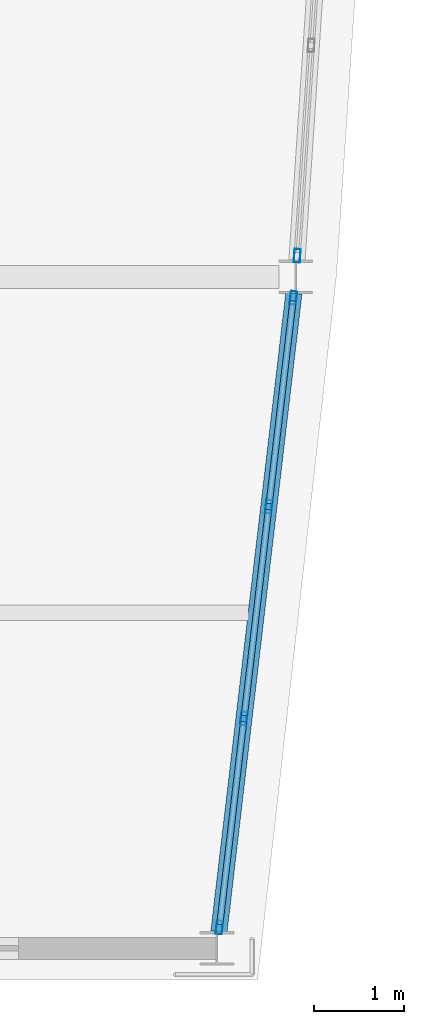
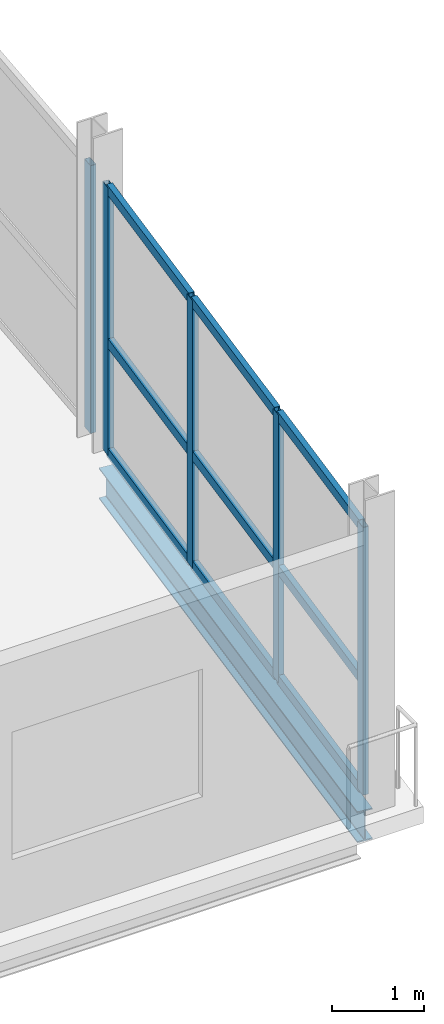
# One storey, part 2 of 20: 14 members, 1 beam, 2 elements without a shape of their own.
"""IFC4 building model written with IfcOpenShell, lengths in metres."""

import ifcopenshell
import ifcopenshell.guid

model = None  # the IFC model being written
_history = None  # IfcOwnerHistory: only IFC2X3 demands one
_inside = {}  # id of a spatial element -> (the spatial element, [elements in it])
_under = {}  # id of a project, library or spatial element -> (it, [spatial elements below it])
_declared = {}  # id of a project -> (the project, [libraries it declares])
_typed = {}  # id of a type object -> (the type object, [elements of that type])
_made_of = {}  # id of a material, layer set ... -> (it, [elements and type objects made of it])


def new_model(schema):
    """Start an empty IFC model of exactly this schema.

    Asked for "IFC4X3", IfcOpenShell would pick the latest addendum, in which some entities
    have other attributes; the version numbers below select the first issue.
    IFC2X3 requires an IfcOwnerHistory on every rooted entity: one is made here for all.
    """
    global model, _history
    if schema == "IFC4X3":
        model = ifcopenshell.file(schema_version=(4, 3, 0, 0))
    else:
        model = ifcopenshell.file(schema=schema)
    _inside.clear()
    _under.clear()
    _declared.clear()
    _typed.clear()
    _made_of.clear()
    _history = None
    if model.schema == "IFC2X3":
        org = make("IfcOrganization", Name="unknown")
        user = make(
            "IfcPersonAndOrganization",
            ThePerson=make("IfcPerson", FamilyName="unknown"),
            TheOrganization=org,
        )
        app = make(
            "IfcApplication",
            ApplicationDeveloper=org,
            Version="unknown",
            ApplicationFullName="unknown",
            ApplicationIdentifier="unknown",
        )
        _history = make(
            "IfcOwnerHistory",
            OwningUser=user,
            OwningApplication=app,
            ChangeAction="ADDED",
            CreationDate=0,
        )
    return model


def make(cls, **values):
    """One entity of the class cls with the attributes given. An attribute that is None is left unset."""
    return model.create_entity(
        cls, **{name: value for name, value in values.items() if value is not None}
    )


def rooted(cls, **values):
    """An entity with a GlobalId (a new one), such as an element, a storey or a relation."""
    return make(cls, GlobalId=ifcopenshell.guid.new(), OwnerHistory=_history, **values)


def si_unit(unit_type, name, prefix=None):
    """IfcSIUnit, for example si_unit("LENGTHUNIT", "METRE", prefix="MILLI")."""
    return make("IfcSIUnit", UnitType=unit_type, Prefix=prefix, Name=name)


def assignment(units):
    """IfcUnitAssignment: the units of a project."""
    return None if units is None else make("IfcUnitAssignment", Units=units)


def point(xyz):
    """IfcCartesianPoint."""
    return None if xyz is None else make("IfcCartesianPoint", Coordinates=xyz)


def direction(xyz):
    """IfcDirection."""
    return None if xyz is None else make("IfcDirection", DirectionRatios=xyz)


def frame(location, z_axis=None, x_axis=None):
    """IfcAxis2Placement3D, a coordinate frame: its origin and axes. An axis left out is left unset."""
    return make(
        "IfcAxis2Placement3D",
        Location=point(location),
        Axis=direction(z_axis),
        RefDirection=direction(x_axis),
    )


def frame_2d(location, x_axis=None):
    """IfcAxis2Placement2D, a coordinate frame in the plane: its origin and x axis."""
    return make(
        "IfcAxis2Placement2D", Location=point(location), RefDirection=direction(x_axis)
    )


def origin():
    """The frame at (0, 0, 0) with its axes left unset."""
    return frame((0.0, 0.0, 0.0))


def origin_2d():
    """The frame at (0, 0) in the plane with its x axis left unset."""
    return frame_2d((0.0, 0.0))


def place(relative_to, where):
    """IfcLocalPlacement: puts the frame where relative to a parent placement (None: the world)."""
    return make(
        "IfcLocalPlacement", PlacementRelTo=relative_to, RelativePlacement=where
    )


def context(
    kind, dimensions, precision=None, world=None, true_north=None, identifier=None
):
    """IfcGeometricRepresentationContext, for example the 3D "Model" context."""
    return make(
        "IfcGeometricRepresentationContext",
        ContextIdentifier=identifier,
        ContextType=kind,
        CoordinateSpaceDimension=dimensions,
        Precision=precision,
        WorldCoordinateSystem=world,
        TrueNorth=true_north,
    )


def subcontext(parent, identifier, kind, view, scale=None):
    """IfcGeometricRepresentationSubContext, for example "Body" below "Model"."""
    return make(
        "IfcGeometricRepresentationSubContext",
        ContextIdentifier=identifier,
        ContextType=kind,
        ParentContext=parent,
        TargetScale=scale,
        TargetView=view,
    )


def project(units=None, contexts=None):
    """IfcProject with its units and contexts."""
    return rooted(
        "IfcProject",
        Name="project",
        RepresentationContexts=contexts,
        UnitsInContext=assignment(units),
    )


def spatial(cls, under=None, at=None, **own):
    """A site, building, storey or space (cls), placed at a placement, below another one or the project."""
    s = rooted(cls, ObjectPlacement=at, **own)
    if under is not None:
        _under.setdefault(under.id(), (under, []))[1].append(s)
    return s


def profile(cls, at=None, kind="AREA", **sizes):
    """A parametric profile (cls). Its sizes go by their IFC names, for example OverallWidth=200.0."""
    return make(cls, ProfileType=kind, Position=at, **sizes)


def hollow_rectangle(**sizes):
    """IfcRectangleHollowProfileDef."""
    return profile("IfcRectangleHollowProfileDef", **sizes)


def i_section(**sizes):
    """IfcIShapeProfileDef."""
    return profile("IfcIShapeProfileDef", **sizes)


def extrude(swept, where, along, depth):
    """IfcExtrudedAreaSolid: the profile swept, set in the frame where, extruded along a direction by depth."""
    return make(
        "IfcExtrudedAreaSolid",
        SweptArea=swept,
        Position=where,
        ExtrudedDirection=direction(along),
        Depth=depth,
    )


def shape(context_of_items, identifier, shape_type, items):
    """IfcShapeRepresentation: the items that make up one representation, for example the "Body"."""
    return make(
        "IfcShapeRepresentation",
        ContextOfItems=context_of_items,
        RepresentationIdentifier=identifier,
        RepresentationType=shape_type,
        Items=items,
    )


def material(Name=None, Category=None):
    """IfcMaterial."""
    return make("IfcMaterial", Name=Name, Category=Category)


def layer(
    of_material, thickness, ventilated=None, Name=None, Category=None, Priority=None
):
    """IfcMaterialLayer: one layer of a wall or slab, of a material (None: an air gap)."""
    return make(
        "IfcMaterialLayer",
        Material=of_material,
        LayerThickness=thickness,
        IsVentilated=ventilated,
        Name=Name,
        Category=Category,
        Priority=Priority,
    )


def layer_set(layers, Name=None):
    """IfcMaterialLayerSet."""
    return make("IfcMaterialLayerSet", MaterialLayers=layers, LayerSetName=Name)


def material_profile(
    of_material, cross_section, Name=None, Category=None, Priority=None
):
    """IfcMaterialProfile: a cross section and its material."""
    return make(
        "IfcMaterialProfile",
        Name=Name,
        Material=of_material,
        Profile=cross_section,
        Priority=Priority,
        Category=Category,
    )


def profile_set(profiles, Name=None, composite=None):
    """IfcMaterialProfileSet."""
    return make(
        "IfcMaterialProfileSet",
        Name=Name,
        MaterialProfiles=profiles,
        CompositeProfile=composite,
    )


def made_of(thing, what):
    """Note that an element or type object is made of a material, layer set ...; save() writes the relation."""
    if what is not None:
        _made_of.setdefault(what.id(), (what, []))[1].append(thing)
    return thing


def type_object(cls, material=None, **own):
    """A type object (cls), such as IfcWallType, which elements share."""
    return made_of(rooted(cls, **own), material)


def element(
    cls,
    number,
    at=None,
    inside=None,
    cuts=None,
    type_object=None,
    material=None,
    context=None,
    identifier="Body",
    shape_type=None,
    held_by="IfcProductDefinitionShape",
    body=None,
    shapes=None,
    **own,
):
    """One element of the class cls, such as IfcWall. Its Tag is "e" and its number.

    at: its placement. inside: the storey or other place that contains it. cuts: it is an
    opening in that element (IfcRelVoidsElement). A single representation is given by context,
    identifier, shape_type and body (its items); several are given by shapes. held_by: the class
    of the entity that holds the representations. save() writes the other relations.
    """
    e = rooted(cls, Tag="e%d" % number, ObjectPlacement=at, **own)
    if body is not None:
        shapes = [shape(context, identifier, shape_type, body)]
    if shapes is not None:
        e.Representation = make(held_by, Representations=shapes)
    if inside is not None:
        _inside.setdefault(inside.id(), (inside, []))[1].append(e)
    if cuts is not None:
        rooted(
            "IfcRelVoidsElement", RelatingBuildingElement=cuts, RelatedOpeningElement=e
        )
    if type_object is not None:
        _typed.setdefault(type_object.id(), (type_object, []))[1].append(e)
    return made_of(e, material)


def aggregate(whole, parts):
    """IfcRelAggregates: a whole, such as a stair, and the parts it consists of."""
    return rooted("IfcRelAggregates", RelatingObject=whole, RelatedObjects=parts)


def save(model, path):
    """Write the relations noted so far, then the file.

    IfcRelAggregates (storeys below a building ...), IfcRelContainedInSpatialStructure (elements
    in a storey), IfcRelDefinesByType, IfcRelAssociatesMaterial and IfcRelDeclares: one each for
    every whole, place, type object, material and project.
    """
    for whole, parts in _under.values():
        aggregate(whole, parts)
    for where, things in _inside.values():
        rooted(
            "IfcRelContainedInSpatialStructure",
            RelatedElements=things,
            RelatingStructure=where,
        )
    for kind, things in _typed.values():
        rooted("IfcRelDefinesByType", RelatedObjects=things, RelatingType=kind)
    for what, things in _made_of.values():
        rooted("IfcRelAssociatesMaterial", RelatedObjects=things, RelatingMaterial=what)
    for by, libraries in _declared.values():
        rooted("IfcRelDeclares", RelatingContext=by, RelatedDefinitions=libraries)
    model.write(path)


model = new_model("IFC4")

# Units and contexts
model_context = context("Model", 3, precision=1e-05, world=origin(), true_north=direction((0.0, 1.0)))
body_context = subcontext(model_context, "Body", "Model", "MODEL_VIEW")
ifc_project = project(units=[si_unit("LENGTHUNIT", "METRE"), si_unit("AREAUNIT", "SQUARE_METRE"), si_unit("VOLUMEUNIT", "CUBIC_METRE"), si_unit("PLANEANGLEUNIT", "RADIAN"), si_unit("MASSUNIT", "GRAM", prefix="KILO")], contexts=[model_context])

# Site, building, storey
site_placement = place(None, origin())
site = spatial("IfcSite", under=ifc_project, at=site_placement, CompositionType="ELEMENT")
building_placement = place(site_placement, origin())
building = spatial("IfcBuilding", under=site, at=building_placement, Name="Quillay Park Conservatory", CompositionType="ELEMENT")
storey_placement = place(building_placement, frame((0.0, 0.0, 26.699951171875)))
storey = spatial("IfcBuildingStorey", under=building, at=storey_placement, Name="L06", CompositionType="ELEMENT", Elevation=26.699951171875)

# Curtain wall, members
ifc_material_1 = material(Name="Thermally Broken Anodised Aluminium 6063-T6", Category="aluminium")
ifc_layer = layer(ifc_material_1, 0.199951171875)
ifc_layer_set = layer_set([ifc_layer], Name="UNITISED CURTAIN WALL HERBARIUM (Thermally Broken Anodised Aluminium 6063-T6)")
curtain_wall_type = type_object("IfcCurtainWallType", Name="UNITISED CURTAIN WALL HERBARIUM", PredefinedType="USERDEFINED", material=ifc_layer_set)
curtain_wall_1_placement = place(storey_placement, origin())
curtain_wall_1 = element("IfcCurtainWall", 1, at=curtain_wall_1_placement, inside=storey, type_object=curtain_wall_type, Name="L06 Unitised Curtain Wall 058", ObjectType="UNITISED CURTAIN WALL", PredefinedType="USERDEFINED")
ifc_material_2 = material(Name="Thermally Broken Anodised Aluminium 6063-T6", Category="aluminium")
ifc_material_profile_1 = material_profile(ifc_material_2, hollow_rectangle(XDim=0.070068359375, YDim=0.14990234375, WallThickness=0.00341796875, at=origin_2d()), Name="AL70x150x3.5")
ifc_profile_set_1 = profile_set([ifc_material_profile_1], Name="Thermally Broken Anodised Aluminium 6063-T6")
member_type_1 = type_object("IfcMemberType", Name="CURTAIN WALL MULLION 70 X150", PredefinedType="MULLION", material=ifc_profile_set_1)
member_1_placement = place(storey_placement, frame((27.397705078125, 70.2666015625, 0.0), z_axis=(0.0, 0.0, 1.0), x_axis=(0.993172502804, -0.116654959918, 0.0)))
member_1 = element("IfcMember", 2, at=member_1_placement, type_object=member_type_1, Name="CW-T2 mullion 1", PredefinedType="MULLION", context=body_context, shape_type="SweptSolid", body=[
    extrude(hollow_rectangle(XDim=0.070068359375, YDim=0.14990234375, WallThickness=0.00341796875, at=origin_2d()), origin(), (0.0, 0.0, 1.0), 3.569091796875),
])
member_2_placement = place(storey_placement, frame((27.12548828125, 67.950439453125, 0.0), z_axis=(0.0, 0.0, 1.0), x_axis=(0.993172502804, -0.116654959918, 0.0)))
member_2 = element("IfcMember", 3, at=member_2_placement, type_object=member_type_1, Name="CW-T2 mullion 2", PredefinedType="MULLION", context=body_context, shape_type="SweptSolid", body=[
    extrude(hollow_rectangle(XDim=0.070068359375, YDim=0.14990234375, WallThickness=0.00341796875, at=origin_2d()), origin(), (0.0, 0.0, 1.0), 3.569091796875),
])
member_3_placement = place(storey_placement, frame((26.849365234375, 65.599609375, 0.0), z_axis=(0.0, 0.0, 1.0), x_axis=(0.993172502804, -0.116654959918, 0.0)))
member_3 = element("IfcMember", 4, at=member_3_placement, type_object=member_type_1, Name="CW-T2 mullion 3", PredefinedType="MULLION", context=body_context, shape_type="SweptSolid", body=[
    extrude(hollow_rectangle(XDim=0.070068359375, YDim=0.14990234375, WallThickness=0.00341796875, at=origin_2d()), origin(), (0.0, 0.0, 1.0), 3.569091796875),
])
member_4_placement = place(storey_placement, frame((26.577392578125, 63.283447265625, 0.0), z_axis=(0.0, 0.0, 1.0), x_axis=(0.993172502804, -0.116654959918, 0.0)))
member_4 = element("IfcMember", 5, at=member_4_placement, type_object=member_type_1, Name="CW-T2 mullion 4", PredefinedType="MULLION", context=body_context, shape_type="SweptSolid", body=[
    extrude(hollow_rectangle(XDim=0.070068359375, YDim=0.14990234375, WallThickness=0.00341796875, at=origin_2d()), origin(), (0.0, 0.0, 1.0), 3.569091796875),
])

# Curtain wall, member
curtain_wall_2_placement = place(storey_placement, origin())
curtain_wall_2 = element("IfcCurtainWall", 6, at=curtain_wall_2_placement, inside=storey, type_object=curtain_wall_type, Name="L06 Unitised Curtain Wall 059", ObjectType="UNITISED CURTAIN WALL", PredefinedType="USERDEFINED")
member_5_placement = place(storey_placement, frame((27.440673828125, 70.734619140625, 0.0), z_axis=(0.0, 0.0, 1.0), x_axis=(0.997785033503, -0.0665208758, 0.0)))
member_5 = element("IfcMember", 7, at=member_5_placement, type_object=member_type_1, Name="CW-T2 mullion 4", PredefinedType="MULLION", context=body_context, shape_type="SweptSolid", body=[
    extrude(hollow_rectangle(XDim=0.070068359375, YDim=0.14990234375, WallThickness=0.00341796875, at=origin_2d()), origin(), (0.0, 0.0, 1.0), 3.569091796875),
])
aggregate(curtain_wall_2, [member_5])

# Member
ifc_material_3 = material(Name="Thermally Broken Anodised Aluminium 6063-T6", Category="aluminium")
ifc_material_profile_2 = material_profile(ifc_material_3, hollow_rectangle(XDim=0.070068359375, YDim=0.1298828125, WallThickness=0.003173828125, at=origin_2d()), Name="AL70x130x3.2")
ifc_profile_set_2 = profile_set([ifc_material_profile_2], Name="Thermally Broken Anodised Aluminium 6063-T6")
member_type_2 = type_object("IfcMemberType", Name="CURTAIN WALL TRANSOM 70 X130", PredefinedType="USERDEFINED", material=ifc_profile_set_2)
member_6_placement = place(storey_placement, frame((27.3935546875, 70.23193359375, 0.03515625), z_axis=(-0.116659662976, -0.993171950386, 0.0), x_axis=(0.993171950386, -0.116659662976, 0.0)))
member_6 = element("IfcMember", 8, at=member_6_placement, type_object=member_type_2, Name="CW-T2 transom 1.1", ObjectType="TRANSOM", PredefinedType="USERDEFINED", context=body_context, shape_type="SweptSolid", body=[
    extrude(hollow_rectangle(XDim=0.070068359375, YDim=0.1298828125, WallThickness=0.003173828125, at=origin_2d()), origin(), (0.0, 0.0, 1.0), 2.26220703125),
])

member_7_placement = place(storey_placement, frame((27.3935546875, 70.23193359375, 1.4990234375), z_axis=(-0.116659662976, -0.993171950386, 0.0), x_axis=(0.993171950386, -0.116659662976, 0.0)))
member_7 = element("IfcMember", 9, at=member_7_placement, type_object=member_type_2, Name="CW-T2 transom 1.2", ObjectType="TRANSOM", PredefinedType="USERDEFINED", context=body_context, shape_type="SweptSolid", body=[
    extrude(hollow_rectangle(XDim=0.070068359375, YDim=0.1298828125, WallThickness=0.003173828125, at=origin_2d()), origin(), (0.0, 0.0, 1.0), 2.26220703125),
])

member_8_placement = place(storey_placement, frame((27.3935546875, 70.23193359375, 3.533935546875), z_axis=(-0.116659662976, -0.993171950386, 0.0), x_axis=(0.993171950386, -0.116659662976, 0.0)))
member_8 = element("IfcMember", 10, at=member_8_placement, type_object=member_type_2, Name="CW-T2 transom 1.3", ObjectType="TRANSOM", PredefinedType="USERDEFINED", context=body_context, shape_type="SweptSolid", body=[
    extrude(hollow_rectangle(XDim=0.070068359375, YDim=0.1298828125, WallThickness=0.003173828125, at=origin_2d()), origin(), (0.0, 0.0, 1.0), 2.26220703125),
])

member_9_placement = place(storey_placement, frame((27.12158203125, 67.915771484375, 0.03515625), z_axis=(-0.116693255048, -0.993168004029, 0.0), x_axis=(0.993168004029, -0.116693255048, 0.0)))
member_9 = element("IfcMember", 11, at=member_9_placement, type_object=member_type_2, Name="CW-T2 transom 2.1", ObjectType="TRANSOM", PredefinedType="USERDEFINED", context=body_context, shape_type="SweptSolid", body=[
    extrude(hollow_rectangle(XDim=0.070068359375, YDim=0.1298828125, WallThickness=0.003173828125, at=origin_2d()), origin(), (0.0, 0.0, 1.0), 2.297119140625),
])

member_10_placement = place(storey_placement, frame((27.12158203125, 67.915771484375, 1.4990234375), z_axis=(-0.116693255048, -0.993168004029, 0.0), x_axis=(0.993168004029, -0.116693255048, 0.0)))
member_10 = element("IfcMember", 12, at=member_10_placement, type_object=member_type_2, Name="CW-T2 transom 2.2", ObjectType="TRANSOM", PredefinedType="USERDEFINED", context=body_context, shape_type="SweptSolid", body=[
    extrude(hollow_rectangle(XDim=0.070068359375, YDim=0.1298828125, WallThickness=0.003173828125, at=origin_2d()), origin(), (0.0, 0.0, 1.0), 2.297119140625),
])

member_11_placement = place(storey_placement, frame((27.12158203125, 67.915771484375, 3.533935546875), z_axis=(-0.116693255048, -0.993168004029, 0.0), x_axis=(0.993168004029, -0.116693255048, 0.0)))
member_11 = element("IfcMember", 13, at=member_11_placement, type_object=member_type_2, Name="CW-T2 transom 2.3", ObjectType="TRANSOM", PredefinedType="USERDEFINED", context=body_context, shape_type="SweptSolid", body=[
    extrude(hollow_rectangle(XDim=0.070068359375, YDim=0.1298828125, WallThickness=0.003173828125, at=origin_2d()), origin(), (0.0, 0.0, 1.0), 2.297119140625),
])

member_12_placement = place(storey_placement, frame((26.845458984375, 65.564697265625, 0.03515625), z_axis=(-0.116672168054, -0.993170481439, 0.0), x_axis=(0.993170481439, -0.116672168054, 0.0)))
member_12 = element("IfcMember", 14, at=member_12_placement, type_object=member_type_2, Name="CW-T2 transom 3.1", ObjectType="TRANSOM", PredefinedType="USERDEFINED", context=body_context, shape_type="SweptSolid", body=[
    extrude(hollow_rectangle(XDim=0.070068359375, YDim=0.1298828125, WallThickness=0.003173828125, at=origin_2d()), origin(), (0.0, 0.0, 1.0), 2.261962890625),
])

member_13_placement = place(storey_placement, frame((26.845458984375, 65.564697265625, 1.4990234375), z_axis=(-0.116672168054, -0.993170481439, 0.0), x_axis=(0.993170481439, -0.116672168054, 0.0)))
member_13 = element("IfcMember", 15, at=member_13_placement, type_object=member_type_2, Name="CW-T2 transom 3.2", ObjectType="TRANSOM", PredefinedType="USERDEFINED", context=body_context, shape_type="SweptSolid", body=[
    extrude(hollow_rectangle(XDim=0.070068359375, YDim=0.1298828125, WallThickness=0.003173828125, at=origin_2d()), origin(), (0.0, 0.0, 1.0), 2.261962890625),
])

member_14_placement = place(storey_placement, frame((26.845458984375, 65.564697265625, 3.533935546875), z_axis=(-0.116672168054, -0.993170481439, 0.0), x_axis=(0.993170481439, -0.116672168054, 0.0)))
member_14 = element("IfcMember", 16, at=member_14_placement, type_object=member_type_2, Name="CW-T2 transom 3.3", ObjectType="TRANSOM", PredefinedType="USERDEFINED", context=body_context, shape_type="SweptSolid", body=[
    extrude(hollow_rectangle(XDim=0.070068359375, YDim=0.1298828125, WallThickness=0.003173828125, at=origin_2d()), origin(), (0.0, 0.0, 1.0), 2.261962890625),
])

aggregate(curtain_wall_1, [member_1, member_2, member_3, member_4, member_6, member_7, member_8, member_9, member_10, member_11, member_12, member_13, member_14])

# Beam
ifc_material_4 = material(Name="Steel ASTM A992 Grade 50", Category="steel")
ifc_material_profile_3 = material_profile(ifc_material_4, i_section(OverallWidth=0.179931640625, OverallDepth=0.4130859375, WebThickness=0.009765625, FlangeThickness=0.01611328125, FilletRadius=0.011962890625, at=origin_2d()), Name="W410x74")
ifc_profile_set_3 = profile_set([ifc_material_profile_3], Name="Steel ASTM A992 Grade 50")
beam_type = type_object("IfcBeamType", Name="PERIMETER SPANDREL BEAM W410 X74", PredefinedType="SPANDREL", material=ifc_profile_set_3)
beam_placement = place(storey_placement, frame((26.57177734375, 63.234619140625, -0.426513671875), z_axis=(0.116638579995, 0.993174426602, 0.0), x_axis=(-0.993174426602, 0.116638579995, 0.0)))
element("IfcBeam", 17, at=beam_placement, inside=storey, type_object=beam_type, Name="L06 beam BM-SPE-0471", PredefinedType="SPANDREL", context=body_context, shape_type="SweptSolid", body=[
    extrude(i_section(OverallWidth=0.179931640625, OverallDepth=0.4130859375, WebThickness=0.009765625, FlangeThickness=0.01611328125, FilletRadius=0.011962890625, at=origin_2d()), origin(), (0.0, 0.0, 1.0), 7.129150390625),
])

save(model, "model.ifc")
